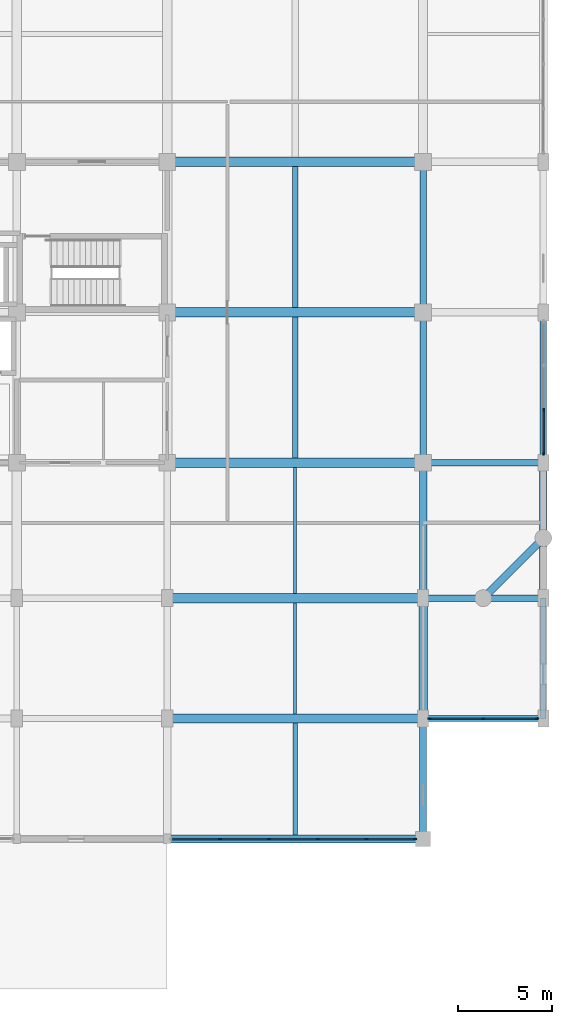
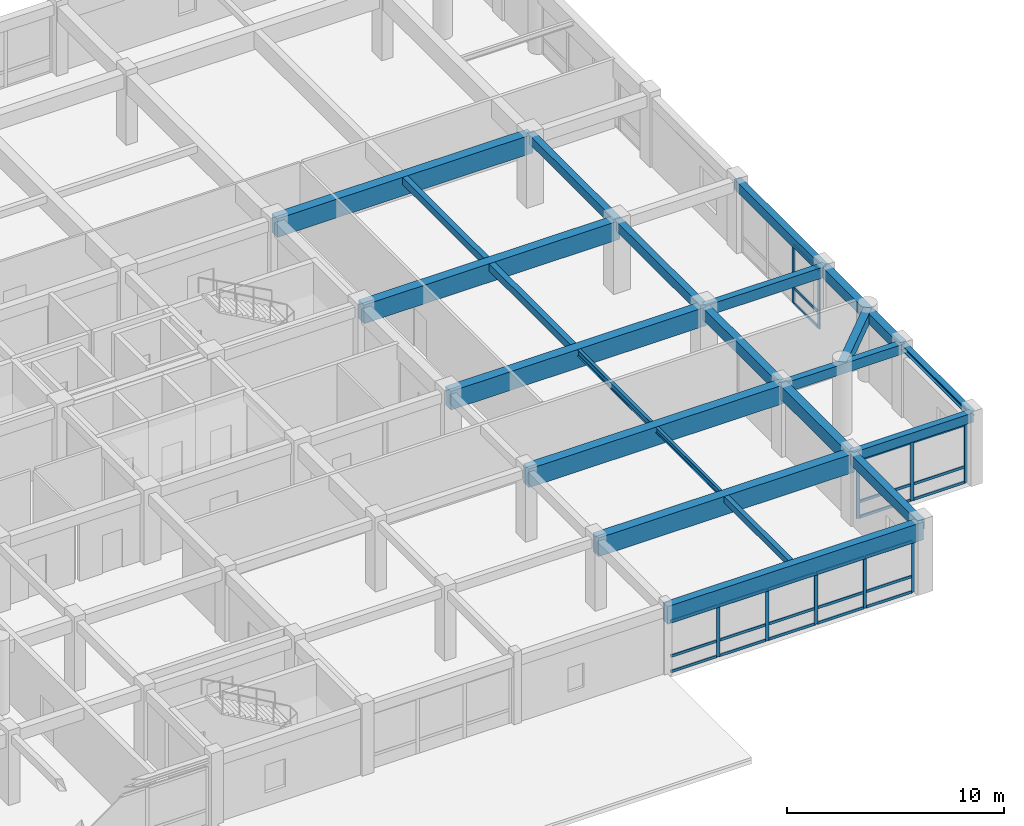
# One storey, part 16 of 35: 34 members, 23 beams, 3 elements without a shape of their own.
"""IFC4 building model written with IfcOpenShell, lengths in metres."""

from ifc_helpers import new_model, si_unit, direction, frame, origin, origin_2d, place, context, subcontext, project, spatial, rectangle, i_section, extrude, material, material_profile, profile_set, type_object, element, aggregate, save


model = new_model("IFC4")

# Units and contexts
model_context = context("Model", 3, precision=1e-05, world=origin(), true_north=direction((0.0, 1.0)))
body_context = subcontext(model_context, "Body", "Model", "MODEL_VIEW")
ifc_project = project(units=[si_unit("LENGTHUNIT", "METRE"), si_unit("AREAUNIT", "SQUARE_METRE"), si_unit("VOLUMEUNIT", "CUBIC_METRE"), si_unit("PLANEANGLEUNIT", "RADIAN"), si_unit("MASSUNIT", "GRAM", prefix="KILO")], contexts=[model_context])

# Site, building, storey
site_placement = place(None, origin())
site = spatial("IfcSite", under=ifc_project, at=site_placement, CompositionType="ELEMENT")
building_placement = place(site_placement, origin())
building = spatial("IfcBuilding", under=site, at=building_placement, Name="Vellmiral Cinema and Media Centre", CompositionType="ELEMENT")
storey_placement = place(building_placement, frame((0.0, 0.0, 15.60009765625)))
storey = spatial("IfcBuildingStorey", under=building, at=storey_placement, Name="L03", CompositionType="ELEMENT", Elevation=15.60009765625)

# Beams
ifc_material_1 = material(Name="Concrete C40/50", Category="concrete")
ifc_material_profile_1 = material_profile(ifc_material_1, rectangle(XDim=0.35009765625, YDim=0.5, at=origin_2d()), Name="RC 350x500")
ifc_profile_set_1 = profile_set([ifc_material_profile_1], Name="Concrete C40/50")
beam_type_1 = type_object("IfcBeamType", Name="BM-RC-350x500", PredefinedType="BEAM", material=ifc_profile_set_1)
beam_1_placement = place(storey_placement, frame((161.60009765625, 87.199951171875, 3.64501953125), z_axis=(0.0, 1.0, 0.0), x_axis=(-1.0, 0.0, 0.0)))
element("IfcBeam", 1, at=beam_1_placement, inside=storey, type_object=beam_type_1, Name="Grid Beam L03-Y143", PredefinedType="BEAM", context=body_context, shape_type="SweptSolid", body=[
    extrude(rectangle(XDim=0.35009765625, YDim=0.5, at=origin_2d()), origin(), (0.0, 0.0, 1.0), 8.0),
])
ifc_material_2 = material(Name="Concrete C40/50", Category="concrete")
ifc_material_profile_2 = material_profile(ifc_material_2, rectangle(XDim=0.35009765625, YDim=0.550048828125, at=origin_2d()), Name="RC 350x550")
ifc_profile_set_2 = profile_set([ifc_material_profile_2], Name="Concrete C40/50")
beam_type_2 = type_object("IfcBeamType", Name="BM-RC-350x550", PredefinedType="BEAM", material=ifc_profile_set_2)
beam_2_placement = place(storey_placement, frame((161.60009765625, 72.0, 3.619873046875), z_axis=(1.0, 0.0, 0.0), x_axis=(0.0, 1.0, 0.0)))
element("IfcBeam", 2, at=beam_2_placement, inside=storey, type_object=beam_type_2, Name="Grid Beam L03-X035", PredefinedType="BEAM", context=body_context, shape_type="SweptSolid", body=[
    extrude(rectangle(XDim=0.35009765625, YDim=0.550048828125, at=origin_2d()), origin(), (0.0, 0.0, 1.0), 6.39990234375),
])
beam_3_placement = place(storey_placement, frame((161.60009765625, 79.199951171875, 3.619873046875), z_axis=(0.0, 1.0, 0.0), x_axis=(-1.0, 0.0, 0.0)))
element("IfcBeam", 3, at=beam_3_placement, inside=storey, type_object=beam_type_2, Name="Grid Beam L03-Y142", PredefinedType="BEAM", context=body_context, shape_type="SweptSolid", body=[
    extrude(rectangle(XDim=0.35009765625, YDim=0.550048828125, at=origin_2d()), origin(), (0.0, 0.0, 1.0), 8.0),
])
ifc_material_3 = material(Name="Concrete C40/50", Category="concrete")
ifc_material_profile_3 = material_profile(ifc_material_3, rectangle(XDim=0.35009765625, YDim=0.60009765625, at=origin_2d()), Name="RC 350x600")
ifc_profile_set_3 = profile_set([ifc_material_profile_3], Name="Concrete C40/50")
beam_type_3 = type_object("IfcBeamType", Name="BM-RC-350x600", PredefinedType="BEAM", material=ifc_profile_set_3)
beam_4_placement = place(storey_placement, frame((161.60009765625, 79.199951171875, 3.594970703125), z_axis=(1.0, 0.0, 0.0), x_axis=(0.0, 1.0, 0.0)))
element("IfcBeam", 4, at=beam_4_placement, inside=storey, type_object=beam_type_3, Name="Grid Beam L03-X045", PredefinedType="BEAM", context=body_context, shape_type="SweptSolid", body=[
    extrude(rectangle(XDim=0.35009765625, YDim=0.60009765625, at=origin_2d()), origin(), (0.0, 0.0, 1.0), 6.39990234375),
])
ifc_material_4 = material(Name="Concrete C40/50", Category="concrete")
ifc_material_profile_4 = material_profile(ifc_material_4, rectangle(XDim=0.39990234375, YDim=0.64990234375, at=origin_2d()), Name="RC 400x650")
ifc_profile_set_4 = profile_set([ifc_material_profile_4], Name="Concrete C40/50")
beam_type_4 = type_object("IfcBeamType", Name="BM-RC-400x650", PredefinedType="BEAM", material=ifc_profile_set_4)
beam_5_placement = place(storey_placement, frame((161.60009765625, 72.0, 3.56982421875), z_axis=(0.0, 1.0, 0.0), x_axis=(-1.0, 0.0, 0.0)))
element("IfcBeam", 5, at=beam_5_placement, inside=storey, type_object=beam_type_4, Name="Grid Beam L03-Y141", PredefinedType="BEAM", context=body_context, shape_type="SweptSolid", body=[
    extrude(rectangle(XDim=0.39990234375, YDim=0.64990234375, at=origin_2d()), origin(), (0.0, 0.0, 1.0), 7.199951171875),
])
ifc_material_5 = material(Name="Concrete C40/50", Category="concrete")
ifc_material_profile_5 = material_profile(ifc_material_5, rectangle(XDim=0.449951171875, YDim=0.75, at=origin_2d()), Name="RC 450x750")
ifc_profile_set_5 = profile_set([ifc_material_profile_5], Name="Concrete C40/50")
beam_type_5 = type_object("IfcBeamType", Name="BM-RC-450x750", PredefinedType="BEAM", material=ifc_profile_set_5)
beam_6_placement = place(storey_placement, frame((161.60009765625, 65.60009765625, 3.52001953125), z_axis=(0.0, 1.0, 0.0), x_axis=(-1.0, 0.0, 0.0)))
element("IfcBeam", 6, at=beam_6_placement, inside=storey, type_object=beam_type_5, Name="Grid Beam L03-Y140", PredefinedType="BEAM", context=body_context, shape_type="SweptSolid", body=[
    extrude(rectangle(XDim=0.449951171875, YDim=0.75, at=origin_2d()), origin(), (0.0, 0.0, 1.0), 6.39990234375),
])
ifc_material_6 = material(Name="Concrete C40/50", Category="concrete")
ifc_material_profile_6 = material_profile(ifc_material_6, rectangle(XDim=0.5, YDim=1.050048828125, at=origin_2d()), Name="RC 500x1050")
ifc_profile_set_6 = profile_set([ifc_material_profile_6], Name="Concrete C40/50")
beam_type_6 = type_object("IfcBeamType", Name="BM-RCG-500x1050", PredefinedType="BEAM", material=ifc_profile_set_6)
for number, where, z_axis, x_axis, name in (
    (7, (148.0, 65.60009765625, 3.369873046875), (1.0, 0.0, 0.0), (0.0, 1.0, 0.0), "Grid Beam L03-X024"),
    (8, (148.0, 72.0, 3.369873046875), (1.0, 0.0, 0.0), (0.0, 1.0, 0.0), "Grid Beam L03-X034"),
    (9, (148.0, 79.199951171875, 3.369873046875), (1.0, 0.0, 0.0), (0.0, 1.0, 0.0), "Grid Beam L03-X044"),
    (10, (148.0, 87.199951171875, 3.369873046875), (1.0, 0.0, 0.0), (0.0, 1.0, 0.0), "Grid Beam L03-X054"),
    (11, (148.0, 95.199951171875, 3.369873046875), (1.0, 0.0, 0.0), (0.0, 1.0, 0.0), "Grid Beam L03-X064"),
):
    element("IfcBeam", number, at=place(storey_placement, frame(where, z_axis=z_axis, x_axis=x_axis)), inside=storey, type_object=beam_type_6, Name=name, PredefinedType="BEAM", context=body_context, shape_type="SweptSolid", body=[
        extrude(rectangle(XDim=0.5, YDim=1.050048828125, at=origin_2d()), origin(), (0.0, 0.0, 1.0), 13.60009765625),
    ])

# Curtain wall, members
ifc_material_7 = material(Name="Thermally Broken Aluminium and Triple Glazing", Category="aluminium")
curtain_wall_type_1 = type_object("IfcCurtainWallType", Name="CW-POD-GALLERY", PredefinedType="USERDEFINED", material=ifc_material_7)
curtain_wall_1_placement = place(storey_placement, origin())
curtain_wall_1 = element("IfcCurtainWall", 12, at=curtain_wall_1_placement, inside=storey, type_object=curtain_wall_type_1, Name="Curtain Wall L03-B016", ObjectType="STICK CURTAIN WALL", PredefinedType="USERDEFINED")
ifc_material_8 = material(Name="Thermally Broken Anodised Aluminium", Category="aluminium")
ifc_material_profile_7 = material_profile(ifc_material_8, rectangle(XDim=0.070068359375, YDim=0.179931640625, at=origin_2d()), Name="MULL 70x180")
ifc_profile_set_7 = profile_set([ifc_material_profile_7], Name="Thermally Broken Anodised Aluminium")
member_type_1 = type_object("IfcMemberType", Name="CWM-70x180", PredefinedType="MULLION", material=ifc_profile_set_7)
member_1_placement = place(storey_placement, frame((150.800048828125, 59.199951171875, 0.0), z_axis=(0.0, 0.0, 1.0), x_axis=(0.0, 1.0, 0.0)))
member_1 = element("IfcMember", 13, at=member_1_placement, type_object=member_type_1, Name="CW-04 mullion 2", PredefinedType="MULLION", context=body_context, shape_type="SweptSolid", body=[
    extrude(rectangle(XDim=0.070068359375, YDim=0.179931640625, at=origin_2d()), origin(), (0.0, 0.0, 1.0), 2.885009765625),
])
member_2_placement = place(storey_placement, frame((153.39990234375, 59.199951171875, 0.0), z_axis=(0.0, 0.0, 1.0), x_axis=(0.0, 1.0, 0.0)))
member_2 = element("IfcMember", 14, at=member_2_placement, type_object=member_type_1, Name="CW-04 mullion 3", PredefinedType="MULLION", context=body_context, shape_type="SweptSolid", body=[
    extrude(rectangle(XDim=0.070068359375, YDim=0.179931640625, at=origin_2d()), origin(), (0.0, 0.0, 1.0), 2.885009765625),
])
member_3_placement = place(storey_placement, frame((156.0, 59.199951171875, 0.0), z_axis=(0.0, 0.0, 1.0), x_axis=(0.0, 1.0, 0.0)))
member_3 = element("IfcMember", 15, at=member_3_placement, type_object=member_type_1, Name="CW-04 mullion 4", PredefinedType="MULLION", context=body_context, shape_type="SweptSolid", body=[
    extrude(rectangle(XDim=0.070068359375, YDim=0.179931640625, at=origin_2d()), origin(), (0.0, 0.0, 1.0), 2.885009765625),
])
member_4_placement = place(storey_placement, frame((158.60009765625, 59.199951171875, 0.0), z_axis=(0.0, 0.0, 1.0), x_axis=(0.0, 1.0, 0.0)))
member_4 = element("IfcMember", 16, at=member_4_placement, type_object=member_type_1, Name="CW-04 mullion 5", PredefinedType="MULLION", context=body_context, shape_type="SweptSolid", body=[
    extrude(rectangle(XDim=0.070068359375, YDim=0.179931640625, at=origin_2d()), origin(), (0.0, 0.0, 1.0), 2.885009765625),
])
member_5_placement = place(storey_placement, frame((161.1650390625, 59.199951171875, 0.0), z_axis=(0.0, 0.0, 1.0), x_axis=(0.0, 1.0, 0.0)))
member_5 = element("IfcMember", 17, at=member_5_placement, type_object=member_type_1, Name="CW-04 mullion 6", PredefinedType="MULLION", context=body_context, shape_type="SweptSolid", body=[
    extrude(rectangle(XDim=0.070068359375, YDim=0.179931640625, at=origin_2d()), origin(), (0.0, 0.0, 1.0), 2.885009765625),
])

ifc_material_9 = material(Name="Thermally Broken Aluminium and Triple Glazing", Category="aluminium")
curtain_wall_type_2 = type_object("IfcCurtainWallType", Name="CW-LIB-BAY", PredefinedType="USERDEFINED", material=ifc_material_9)
curtain_wall_2_placement = place(storey_placement, origin())
curtain_wall_2 = element("IfcCurtainWall", 18, at=curtain_wall_2_placement, inside=storey, type_object=curtain_wall_type_2, Name="Curtain Wall L03-B018", ObjectType="STICK CURTAIN WALL", PredefinedType="USERDEFINED")
member_6_placement = place(storey_placement, frame((161.93505859375, 65.60009765625, 0.0), z_axis=(0.0, 0.0, 1.0), x_axis=(0.0, 1.0, 0.0)))
member_6 = element("IfcMember", 19, at=member_6_placement, type_object=member_type_1, Name="CW-03 mullion 1", PredefinedType="MULLION", context=body_context, shape_type="SweptSolid", body=[
    extrude(rectangle(XDim=0.070068359375, YDim=0.179931640625, at=origin_2d()), origin(), (0.0, 0.0, 1.0), 3.2998046875),
])
member_7_placement = place(storey_placement, frame((164.800048828125, 65.60009765625, 0.0), z_axis=(0.0, 0.0, 1.0), x_axis=(0.0, 1.0, 0.0)))
member_7 = element("IfcMember", 20, at=member_7_placement, type_object=member_type_1, Name="CW-03 mullion 2", PredefinedType="MULLION", context=body_context, shape_type="SweptSolid", body=[
    extrude(rectangle(XDim=0.070068359375, YDim=0.179931640625, at=origin_2d()), origin(), (0.0, 0.0, 1.0), 3.2998046875),
])
member_8_placement = place(storey_placement, frame((167.6650390625, 65.60009765625, 0.0), z_axis=(0.0, 0.0, 1.0), x_axis=(0.0, 1.0, 0.0)))
member_8 = element("IfcMember", 21, at=member_8_placement, type_object=member_type_1, Name="CW-03 mullion 3", PredefinedType="MULLION", context=body_context, shape_type="SweptSolid", body=[
    extrude(rectangle(XDim=0.070068359375, YDim=0.179931640625, at=origin_2d()), origin(), (0.0, 0.0, 1.0), 3.2998046875),
])

curtain_wall_3_placement = place(storey_placement, origin())
curtain_wall_3 = element("IfcCurtainWall", 22, at=curtain_wall_3_placement, inside=storey, type_object=curtain_wall_type_2, Name="Curtain Wall L03-B022", ObjectType="STICK CURTAIN WALL", PredefinedType="USERDEFINED")
member_9_placement = place(storey_placement, frame((168.0, 79.68505859375, 0.0), z_axis=(0.0, 0.0, 1.0), x_axis=(-1.0, 0.0, 0.0)))
member_9 = element("IfcMember", 23, at=member_9_placement, type_object=member_type_1, Name="CW-03 mullion 1", PredefinedType="MULLION", context=body_context, shape_type="SweptSolid", body=[
    extrude(rectangle(XDim=0.070068359375, YDim=0.179931640625, at=origin_2d()), origin(), (0.0, 0.0, 1.0), 3.2998046875),
])
member_10_placement = place(storey_placement, frame((168.0, 82.0166015625, 0.0), z_axis=(0.0, 0.0, 1.0), x_axis=(-1.0, 0.0, 0.0)))
member_10 = element("IfcMember", 24, at=member_10_placement, type_object=member_type_1, Name="CW-03 mullion 2", PredefinedType="MULLION", context=body_context, shape_type="SweptSolid", body=[
    extrude(rectangle(XDim=0.070068359375, YDim=0.179931640625, at=origin_2d()), origin(), (0.0, 0.0, 1.0), 3.2998046875),
])

# Member
ifc_material_10 = material(Name="Thermally Broken Anodised Aluminium", Category="aluminium")
ifc_material_profile_8 = material_profile(ifc_material_10, rectangle(XDim=0.070068359375, YDim=0.14990234375, at=origin_2d()), Name="MULL 70x150")
ifc_profile_set_8 = profile_set([ifc_material_profile_8], Name="Thermally Broken Anodised Aluminium")
member_type_2 = type_object("IfcMemberType", Name="CWT-70x150", PredefinedType="USERDEFINED", material=ifc_profile_set_8)
member_11_placement = place(storey_placement, frame((148.27001953125, 59.199951171875, 0.034912109375), z_axis=(1.0, 0.0, 0.0), x_axis=(0.0, 1.0, 0.0)))
member_11 = element("IfcMember", 25, at=member_11_placement, type_object=member_type_2, Name="CW-04 transom 1.1", ObjectType="TRANSOM", PredefinedType="USERDEFINED", context=body_context, shape_type="SweptSolid", body=[
    extrude(rectangle(XDim=0.070068359375, YDim=0.14990234375, at=origin_2d()), origin(), (0.0, 0.0, 1.0), 2.494873046875),
])

member_12_placement = place(storey_placement, frame((148.27001953125, 59.199951171875, 0.89990234375), z_axis=(1.0, 0.0, 0.0), x_axis=(0.0, 1.0, 0.0)))
member_12 = element("IfcMember", 26, at=member_12_placement, type_object=member_type_2, Name="CW-04 transom 1.2", ObjectType="TRANSOM", PredefinedType="USERDEFINED", context=body_context, shape_type="SweptSolid", body=[
    extrude(rectangle(XDim=0.070068359375, YDim=0.14990234375, at=origin_2d()), origin(), (0.0, 0.0, 1.0), 2.494873046875),
])

member_13_placement = place(storey_placement, frame((148.27001953125, 59.199951171875, 2.849853515625), z_axis=(1.0, 0.0, 0.0), x_axis=(0.0, 1.0, 0.0)))
member_13 = element("IfcMember", 27, at=member_13_placement, type_object=member_type_2, Name="CW-04 transom 1.3", ObjectType="TRANSOM", PredefinedType="USERDEFINED", context=body_context, shape_type="SweptSolid", body=[
    extrude(rectangle(XDim=0.070068359375, YDim=0.14990234375, at=origin_2d()), origin(), (0.0, 0.0, 1.0), 2.494873046875),
])

member_14_placement = place(storey_placement, frame((150.8349609375, 59.199951171875, 0.034912109375), z_axis=(1.0, 0.0, 0.0), x_axis=(0.0, 1.0, 0.0)))
member_14 = element("IfcMember", 28, at=member_14_placement, type_object=member_type_2, Name="CW-04 transom 2.1", ObjectType="TRANSOM", PredefinedType="USERDEFINED", context=body_context, shape_type="SweptSolid", body=[
    extrude(rectangle(XDim=0.070068359375, YDim=0.14990234375, at=origin_2d()), origin(), (0.0, 0.0, 1.0), 2.530029296875),
])

member_15_placement = place(storey_placement, frame((150.8349609375, 59.199951171875, 0.89990234375), z_axis=(1.0, 0.0, 0.0), x_axis=(0.0, 1.0, 0.0)))
member_15 = element("IfcMember", 29, at=member_15_placement, type_object=member_type_2, Name="CW-04 transom 2.2", ObjectType="TRANSOM", PredefinedType="USERDEFINED", context=body_context, shape_type="SweptSolid", body=[
    extrude(rectangle(XDim=0.070068359375, YDim=0.14990234375, at=origin_2d()), origin(), (0.0, 0.0, 1.0), 2.530029296875),
])

member_16_placement = place(storey_placement, frame((150.8349609375, 59.199951171875, 2.849853515625), z_axis=(1.0, 0.0, 0.0), x_axis=(0.0, 1.0, 0.0)))
member_16 = element("IfcMember", 30, at=member_16_placement, type_object=member_type_2, Name="CW-04 transom 2.3", ObjectType="TRANSOM", PredefinedType="USERDEFINED", context=body_context, shape_type="SweptSolid", body=[
    extrude(rectangle(XDim=0.070068359375, YDim=0.14990234375, at=origin_2d()), origin(), (0.0, 0.0, 1.0), 2.530029296875),
])

member_17_placement = place(storey_placement, frame((153.43505859375, 59.199951171875, 0.034912109375), z_axis=(1.0, 0.0, 0.0), x_axis=(0.0, 1.0, 0.0)))
member_17 = element("IfcMember", 31, at=member_17_placement, type_object=member_type_2, Name="CW-04 transom 3.1", ObjectType="TRANSOM", PredefinedType="USERDEFINED", context=body_context, shape_type="SweptSolid", body=[
    extrude(rectangle(XDim=0.070068359375, YDim=0.14990234375, at=origin_2d()), origin(), (0.0, 0.0, 1.0), 2.530029296875),
])

member_18_placement = place(storey_placement, frame((153.43505859375, 59.199951171875, 0.89990234375), z_axis=(1.0, 0.0, 0.0), x_axis=(0.0, 1.0, 0.0)))
member_18 = element("IfcMember", 32, at=member_18_placement, type_object=member_type_2, Name="CW-04 transom 3.2", ObjectType="TRANSOM", PredefinedType="USERDEFINED", context=body_context, shape_type="SweptSolid", body=[
    extrude(rectangle(XDim=0.070068359375, YDim=0.14990234375, at=origin_2d()), origin(), (0.0, 0.0, 1.0), 2.530029296875),
])

member_19_placement = place(storey_placement, frame((153.43505859375, 59.199951171875, 2.849853515625), z_axis=(1.0, 0.0, 0.0), x_axis=(0.0, 1.0, 0.0)))
member_19 = element("IfcMember", 33, at=member_19_placement, type_object=member_type_2, Name="CW-04 transom 3.3", ObjectType="TRANSOM", PredefinedType="USERDEFINED", context=body_context, shape_type="SweptSolid", body=[
    extrude(rectangle(XDim=0.070068359375, YDim=0.14990234375, at=origin_2d()), origin(), (0.0, 0.0, 1.0), 2.530029296875),
])

member_20_placement = place(storey_placement, frame((156.034912109375, 59.199951171875, 0.034912109375), z_axis=(1.0, 0.0, 0.0), x_axis=(0.0, 1.0, 0.0)))
member_20 = element("IfcMember", 34, at=member_20_placement, type_object=member_type_2, Name="CW-04 transom 4.1", ObjectType="TRANSOM", PredefinedType="USERDEFINED", context=body_context, shape_type="SweptSolid", body=[
    extrude(rectangle(XDim=0.070068359375, YDim=0.14990234375, at=origin_2d()), origin(), (0.0, 0.0, 1.0), 2.530029296875),
])

member_21_placement = place(storey_placement, frame((156.034912109375, 59.199951171875, 0.89990234375), z_axis=(1.0, 0.0, 0.0), x_axis=(0.0, 1.0, 0.0)))
member_21 = element("IfcMember", 35, at=member_21_placement, type_object=member_type_2, Name="CW-04 transom 4.2", ObjectType="TRANSOM", PredefinedType="USERDEFINED", context=body_context, shape_type="SweptSolid", body=[
    extrude(rectangle(XDim=0.070068359375, YDim=0.14990234375, at=origin_2d()), origin(), (0.0, 0.0, 1.0), 2.530029296875),
])

member_22_placement = place(storey_placement, frame((156.034912109375, 59.199951171875, 2.849853515625), z_axis=(1.0, 0.0, 0.0), x_axis=(0.0, 1.0, 0.0)))
member_22 = element("IfcMember", 36, at=member_22_placement, type_object=member_type_2, Name="CW-04 transom 4.3", ObjectType="TRANSOM", PredefinedType="USERDEFINED", context=body_context, shape_type="SweptSolid", body=[
    extrude(rectangle(XDim=0.070068359375, YDim=0.14990234375, at=origin_2d()), origin(), (0.0, 0.0, 1.0), 2.530029296875),
])

member_23_placement = place(storey_placement, frame((158.635009765625, 59.199951171875, 0.034912109375), z_axis=(1.0, 0.0, 0.0), x_axis=(0.0, 1.0, 0.0)))
member_23 = element("IfcMember", 37, at=member_23_placement, type_object=member_type_2, Name="CW-04 transom 5.1", ObjectType="TRANSOM", PredefinedType="USERDEFINED", context=body_context, shape_type="SweptSolid", body=[
    extrude(rectangle(XDim=0.070068359375, YDim=0.14990234375, at=origin_2d()), origin(), (0.0, 0.0, 1.0), 2.494873046875),
])

member_24_placement = place(storey_placement, frame((158.635009765625, 59.199951171875, 0.89990234375), z_axis=(1.0, 0.0, 0.0), x_axis=(0.0, 1.0, 0.0)))
member_24 = element("IfcMember", 38, at=member_24_placement, type_object=member_type_2, Name="CW-04 transom 5.2", ObjectType="TRANSOM", PredefinedType="USERDEFINED", context=body_context, shape_type="SweptSolid", body=[
    extrude(rectangle(XDim=0.070068359375, YDim=0.14990234375, at=origin_2d()), origin(), (0.0, 0.0, 1.0), 2.494873046875),
])

member_25_placement = place(storey_placement, frame((158.635009765625, 59.199951171875, 2.849853515625), z_axis=(1.0, 0.0, 0.0), x_axis=(0.0, 1.0, 0.0)))
member_25 = element("IfcMember", 39, at=member_25_placement, type_object=member_type_2, Name="CW-04 transom 5.3", ObjectType="TRANSOM", PredefinedType="USERDEFINED", context=body_context, shape_type="SweptSolid", body=[
    extrude(rectangle(XDim=0.070068359375, YDim=0.14990234375, at=origin_2d()), origin(), (0.0, 0.0, 1.0), 2.494873046875),
])

aggregate(curtain_wall_1, [member_1, member_2, member_3, member_4, member_5, member_11, member_12, member_13, member_14, member_15, member_16, member_17, member_18, member_19, member_20, member_21, member_22, member_23, member_24, member_25])

member_26_placement = place(storey_placement, frame((161.969970703125, 65.60009765625, 0.034912109375), z_axis=(1.0, 0.0, 0.0), x_axis=(0.0, 1.0, 0.0)))
member_26 = element("IfcMember", 40, at=member_26_placement, type_object=member_type_2, Name="CW-03 transom 1.1", ObjectType="TRANSOM", PredefinedType="USERDEFINED", context=body_context, shape_type="SweptSolid", body=[
    extrude(rectangle(XDim=0.070068359375, YDim=0.14990234375, at=origin_2d()), origin(), (0.0, 0.0, 1.0), 2.794921875),
])

member_27_placement = place(storey_placement, frame((161.969970703125, 65.60009765625, 0.89990234375), z_axis=(1.0, 0.0, 0.0), x_axis=(0.0, 1.0, 0.0)))
member_27 = element("IfcMember", 41, at=member_27_placement, type_object=member_type_2, Name="CW-03 transom 1.2", ObjectType="TRANSOM", PredefinedType="USERDEFINED", context=body_context, shape_type="SweptSolid", body=[
    extrude(rectangle(XDim=0.070068359375, YDim=0.14990234375, at=origin_2d()), origin(), (0.0, 0.0, 1.0), 2.794921875),
])

member_28_placement = place(storey_placement, frame((161.969970703125, 65.60009765625, 3.264892578125), z_axis=(1.0, 0.0, 0.0), x_axis=(0.0, 1.0, 0.0)))
member_28 = element("IfcMember", 42, at=member_28_placement, type_object=member_type_2, Name="CW-03 transom 1.3", ObjectType="TRANSOM", PredefinedType="USERDEFINED", context=body_context, shape_type="SweptSolid", body=[
    extrude(rectangle(XDim=0.070068359375, YDim=0.14990234375, at=origin_2d()), origin(), (0.0, 0.0, 1.0), 2.794921875),
])

member_29_placement = place(storey_placement, frame((164.8349609375, 65.60009765625, 0.034912109375), z_axis=(1.0, 0.0, 0.0), x_axis=(0.0, 1.0, 0.0)))
member_29 = element("IfcMember", 43, at=member_29_placement, type_object=member_type_2, Name="CW-03 transom 2.1", ObjectType="TRANSOM", PredefinedType="USERDEFINED", context=body_context, shape_type="SweptSolid", body=[
    extrude(rectangle(XDim=0.070068359375, YDim=0.14990234375, at=origin_2d()), origin(), (0.0, 0.0, 1.0), 2.794921875),
])

member_30_placement = place(storey_placement, frame((164.8349609375, 65.60009765625, 0.89990234375), z_axis=(1.0, 0.0, 0.0), x_axis=(0.0, 1.0, 0.0)))
member_30 = element("IfcMember", 44, at=member_30_placement, type_object=member_type_2, Name="CW-03 transom 2.2", ObjectType="TRANSOM", PredefinedType="USERDEFINED", context=body_context, shape_type="SweptSolid", body=[
    extrude(rectangle(XDim=0.070068359375, YDim=0.14990234375, at=origin_2d()), origin(), (0.0, 0.0, 1.0), 2.794921875),
])

member_31_placement = place(storey_placement, frame((164.8349609375, 65.60009765625, 3.264892578125), z_axis=(1.0, 0.0, 0.0), x_axis=(0.0, 1.0, 0.0)))
member_31 = element("IfcMember", 45, at=member_31_placement, type_object=member_type_2, Name="CW-03 transom 2.3", ObjectType="TRANSOM", PredefinedType="USERDEFINED", context=body_context, shape_type="SweptSolid", body=[
    extrude(rectangle(XDim=0.070068359375, YDim=0.14990234375, at=origin_2d()), origin(), (0.0, 0.0, 1.0), 2.794921875),
])

aggregate(curtain_wall_2, [member_6, member_7, member_8, member_26, member_27, member_28, member_29, member_30, member_31])

member_32_placement = place(storey_placement, frame((168.0, 79.719970703125, 0.034912109375), z_axis=(0.0, 1.0, 0.0), x_axis=(-1.0, 0.0, 0.0)))
member_32 = element("IfcMember", 46, at=member_32_placement, type_object=member_type_2, Name="CW-03 transom 1.1", ObjectType="TRANSOM", PredefinedType="USERDEFINED", context=body_context, shape_type="SweptSolid", body=[
    extrude(rectangle(XDim=0.070068359375, YDim=0.14990234375, at=origin_2d()), origin(), (0.0, 0.0, 1.0), 2.26171875),
])

member_33_placement = place(storey_placement, frame((168.0, 79.719970703125, 0.89990234375), z_axis=(0.0, 1.0, 0.0), x_axis=(-1.0, 0.0, 0.0)))
member_33 = element("IfcMember", 47, at=member_33_placement, type_object=member_type_2, Name="CW-03 transom 1.2", ObjectType="TRANSOM", PredefinedType="USERDEFINED", context=body_context, shape_type="SweptSolid", body=[
    extrude(rectangle(XDim=0.070068359375, YDim=0.14990234375, at=origin_2d()), origin(), (0.0, 0.0, 1.0), 2.26171875),
])

member_34_placement = place(storey_placement, frame((168.0, 79.719970703125, 3.264892578125), z_axis=(0.0, 1.0, 0.0), x_axis=(-1.0, 0.0, 0.0)))
member_34 = element("IfcMember", 48, at=member_34_placement, type_object=member_type_2, Name="CW-03 transom 1.3", ObjectType="TRANSOM", PredefinedType="USERDEFINED", context=body_context, shape_type="SweptSolid", body=[
    extrude(rectangle(XDim=0.070068359375, YDim=0.14990234375, at=origin_2d()), origin(), (0.0, 0.0, 1.0), 2.26171875),
])

aggregate(curtain_wall_3, [member_9, member_10, member_32, member_33, member_34])

# Beams
ifc_material_11 = material(Name="Concrete C40/50", Category="concrete")
ifc_material_profile_9 = material_profile(ifc_material_11, rectangle(XDim=0.25, YDim=0.35009765625, at=origin_2d()), Name="RC 250x350")
ifc_profile_set_9 = profile_set([ifc_material_profile_9], Name="Concrete C40/50")
beam_type_7 = type_object("IfcBeamType", Name="JST-RC-250x350", PredefinedType="JOIST", material=ifc_profile_set_9)
beam_7_placement = place(storey_placement, frame((154.800048828125, 59.409912109375, 3.719970703125), z_axis=(0.0, 1.0, 0.0), x_axis=(-1.0, 0.0, 0.0)))
element("IfcBeam", 49, at=beam_7_placement, inside=storey, type_object=beam_type_7, Name="Secondary Floor Joist L03-012", PredefinedType="JOIST", context=body_context, shape_type="SweptSolid", body=[
    extrude(rectangle(XDim=0.25, YDim=0.35009765625, at=origin_2d()), origin(), (0.0, 0.0, 1.0), 5.940185546875),
])
ifc_material_12 = material(Name="Concrete C40/50", Category="concrete")
ifc_material_profile_10 = material_profile(ifc_material_12, rectangle(XDim=0.280029296875, YDim=0.39990234375, at=origin_2d()), Name="RC 280x400")
ifc_profile_set_10 = profile_set([ifc_material_profile_10], Name="Concrete C40/50")
beam_type_8 = type_object("IfcBeamType", Name="JST-RC-280x400", PredefinedType="JOIST", material=ifc_profile_set_10)
beam_8_placement = place(storey_placement, frame((154.800048828125, 87.449951171875, 3.69482421875), z_axis=(0.0, 1.0, 0.0), x_axis=(-1.0, 0.0, 0.0)))
element("IfcBeam", 50, at=beam_8_placement, inside=storey, type_object=beam_type_8, Name="Secondary Floor Joist L03-016", PredefinedType="JOIST", context=body_context, shape_type="SweptSolid", body=[
    extrude(rectangle(XDim=0.280029296875, YDim=0.39990234375, at=origin_2d()), origin(), (0.0, 0.0, 1.0), 7.5),
])
ifc_material_13 = material(Name="Concrete C40/50", Category="concrete")
ifc_material_profile_11 = material_profile(ifc_material_13, rectangle(XDim=0.300048828125, YDim=0.419921875, at=origin_2d()), Name="RC 300x420")
ifc_profile_set_11 = profile_set([ifc_material_profile_11], Name="Concrete C40/50")
beam_type_9 = type_object("IfcBeamType", Name="JST-RC-300x420", PredefinedType="JOIST", material=ifc_profile_set_11)
beam_9_placement = place(storey_placement, frame((154.800048828125, 79.449951171875, 3.684814453125), z_axis=(0.0, 1.0, 0.0), x_axis=(-1.0, 0.0, 0.0)))
element("IfcBeam", 51, at=beam_9_placement, inside=storey, type_object=beam_type_9, Name="Secondary Floor Joist L03-015", PredefinedType="JOIST", context=body_context, shape_type="SweptSolid", body=[
    extrude(rectangle(XDim=0.300048828125, YDim=0.419921875, at=origin_2d()), origin(), (0.0, 0.0, 1.0), 7.5),
])
ifc_material_14 = material(Name="Steel S355", Category="steel")
ifc_material_profile_12 = material_profile(ifc_material_14, i_section(OverallWidth=0.300048828125, OverallDepth=0.300048828125, WebThickness=0.010986328125, FlangeThickness=0.01904296875, FilletRadius=0.027099609375, at=origin_2d()), Name="HEB 300")
ifc_profile_set_12 = profile_set([ifc_material_profile_12], Name="Steel S355")
beam_type_10 = type_object("IfcBeamType", Name="SBM-HEB300", PredefinedType="SPANDREL", material=ifc_profile_set_12)
beam_10_placement = place(storey_placement, frame((168.0, 65.60009765625, 3.744873046875), z_axis=(0.0, 1.0, 0.0), x_axis=(-1.0, 0.0, 0.0)))
element("IfcBeam", 52, at=beam_10_placement, inside=storey, type_object=beam_type_10, Name="Grid Beam L03-Y146", PredefinedType="SPANDREL", context=body_context, shape_type="SweptSolid", body=[
    extrude(i_section(OverallWidth=0.300048828125, OverallDepth=0.300048828125, WebThickness=0.010986328125, FlangeThickness=0.01904296875, FilletRadius=0.027099609375, at=origin_2d()), origin(), (0.0, 0.0, 1.0), 6.39990234375),
])
ifc_material_15 = material(Name="Steel S355", Category="steel")
ifc_material_profile_13 = material_profile(ifc_material_15, i_section(OverallWidth=0.14990234375, OverallDepth=0.300048828125, WebThickness=0.007080078125, FlangeThickness=0.0107421875, FilletRadius=0.014892578125, at=origin_2d()), Name="IPE 300")
ifc_profile_set_13 = profile_set([ifc_material_profile_13], Name="Steel S355")
beam_type_11 = type_object("IfcBeamType", Name="SBM-IPE300", PredefinedType="JOIST", material=ifc_profile_set_13)
beam_11_placement = place(storey_placement, frame((154.800048828125, 65.85009765625, 3.744873046875), z_axis=(0.0, 1.0, 0.0), x_axis=(-1.0, 0.0, 0.0)))
element("IfcBeam", 53, at=beam_11_placement, inside=storey, type_object=beam_type_11, Name="Secondary Floor Joist L03-013", PredefinedType="JOIST", context=body_context, shape_type="SweptSolid", body=[
    extrude(i_section(OverallWidth=0.14990234375, OverallDepth=0.300048828125, WebThickness=0.007080078125, FlangeThickness=0.0107421875, FilletRadius=0.014892578125, at=origin_2d()), origin(), (0.0, 0.0, 1.0), 5.89990234375),
])
ifc_material_16 = material(Name="Steel S355", Category="steel")
ifc_material_profile_14 = material_profile(ifc_material_16, i_section(OverallWidth=0.169921875, OverallDepth=0.360107421875, WebThickness=0.008056640625, FlangeThickness=0.0126953125, FilletRadius=0.01806640625, at=origin_2d()), Name="IPE 360")
ifc_profile_set_14 = profile_set([ifc_material_profile_14], Name="Steel S355")
beam_type_12 = type_object("IfcBeamType", Name="SBM-IPE360", PredefinedType="JOIST", material=ifc_profile_set_14)
beam_12_placement = place(storey_placement, frame((154.800048828125, 72.25, 3.71484375), z_axis=(0.0, 1.0, 0.0), x_axis=(-1.0, 0.0, 0.0)))
element("IfcBeam", 54, at=beam_12_placement, inside=storey, type_object=beam_type_12, Name="Secondary Floor Joist L03-014", PredefinedType="JOIST", context=body_context, shape_type="SweptSolid", body=[
    extrude(i_section(OverallWidth=0.169921875, OverallDepth=0.360107421875, WebThickness=0.008056640625, FlangeThickness=0.0126953125, FilletRadius=0.01806640625, at=origin_2d()), origin(), (0.0, 0.0, 1.0), 6.699951171875),
])
ifc_material_17 = material(Name="Concrete C40/50", Category="concrete")
ifc_material_profile_15 = material_profile(ifc_material_17, rectangle(XDim=0.35009765625, YDim=0.56005859375, at=origin_2d()), Name="RC 350x560")
ifc_profile_set_15 = profile_set([ifc_material_profile_15], Name="Concrete C40/50")
beam_type_13 = type_object("IfcBeamType", Name="SPD-RC-350x560", PredefinedType="SPANDREL", material=ifc_profile_set_15)
beam_13_placement = place(storey_placement, frame((168.0, 79.199951171875, 3.614990234375), z_axis=(0.0, 1.0, 0.0), x_axis=(-1.0, 0.0, 0.0)))
element("IfcBeam", 55, at=beam_13_placement, inside=storey, type_object=beam_type_13, Name="Grid Beam L03-Y148", PredefinedType="SPANDREL", context=body_context, shape_type="SweptSolid", body=[
    extrude(rectangle(XDim=0.35009765625, YDim=0.56005859375, at=origin_2d()), origin(), (0.0, 0.0, 1.0), 8.0),
])
ifc_material_18 = material(Name="Concrete C40/50", Category="concrete")
ifc_material_profile_16 = material_profile(ifc_material_18, rectangle(XDim=0.39990234375, YDim=0.60009765625, at=origin_2d()), Name="RC 400x600")
ifc_profile_set_16 = profile_set([ifc_material_profile_16], Name="Concrete C40/50")
beam_type_14 = type_object("IfcBeamType", Name="SPD-RC-400x600", PredefinedType="SPANDREL", material=ifc_profile_set_16)
beam_14_placement = place(storey_placement, frame((168.0, 72.0, 3.594970703125), z_axis=(0.0, 1.0, 0.0), x_axis=(-1.0, 0.0, 0.0)))
element("IfcBeam", 56, at=beam_14_placement, inside=storey, type_object=beam_type_14, Name="Grid Beam L03-Y147", PredefinedType="SPANDREL", context=body_context, shape_type="SweptSolid", body=[
    extrude(rectangle(XDim=0.39990234375, YDim=0.60009765625, at=origin_2d()), origin(), (0.0, 0.0, 1.0), 7.199951171875),
])
beam_15_placement = place(storey_placement, frame((164.800048828125, 72.0, 3.594970703125), z_axis=(0.707106781187, 0.707106781187, 0.0), x_axis=(-0.707106781187, 0.707106781187, 0.0)))
element("IfcBeam", 57, at=beam_15_placement, inside=storey, type_object=beam_type_14, Name="Xamfra Chamfer Spandrel Beam L03-153", PredefinedType="SPANDREL", context=body_context, shape_type="SweptSolid", body=[
    extrude(rectangle(XDim=0.39990234375, YDim=0.60009765625, at=origin_2d()), origin(), (0.0, 0.0, 1.0), 4.525390625),
])
ifc_material_19 = material(Name="Vosges Red Sandstone Masonry", Category="masonry")
ifc_material_profile_17 = material_profile(ifc_material_19, rectangle(XDim=0.340087890625, YDim=0.52001953125, at=origin_2d()), Name="SAND 340x520")
ifc_profile_set_17 = profile_set([ifc_material_profile_17], Name="Vosges Red Sandstone Masonry")
beam_type_15 = type_object("IfcBeamType", Name="SPD-SAND-340x520", PredefinedType="SPANDREL", material=ifc_profile_set_17)
beam_16_placement = place(storey_placement, frame((161.60009765625, 65.60009765625, 3.635009765625), z_axis=(1.0, 0.0, 0.0), x_axis=(0.0, 1.0, 0.0)))
element("IfcBeam", 58, at=beam_16_placement, inside=storey, type_object=beam_type_15, Name="Grid Beam L03-X025", PredefinedType="SPANDREL", context=body_context, shape_type="SweptSolid", body=[
    extrude(rectangle(XDim=0.340087890625, YDim=0.52001953125, at=origin_2d()), origin(), (0.0, 0.0, 1.0), 6.39990234375),
])
ifc_material_20 = material(Name="Vosges Red Sandstone Masonry", Category="masonry")
ifc_material_profile_18 = material_profile(ifc_material_20, rectangle(XDim=0.3798828125, YDim=0.580078125, at=origin_2d()), Name="SAND 380x580")
ifc_profile_set_18 = profile_set([ifc_material_profile_18], Name="Vosges Red Sandstone Masonry")
beam_type_16 = type_object("IfcBeamType", Name="SPD-SAND-380x580", PredefinedType="SPANDREL", material=ifc_profile_set_18)
beam_17_placement = place(storey_placement, frame((161.60009765625, 59.199951171875, 3.60498046875), z_axis=(0.0, 1.0, 0.0), x_axis=(-1.0, 0.0, 0.0)))
element("IfcBeam", 59, at=beam_17_placement, inside=storey, type_object=beam_type_16, Name="Grid Beam L03-Y139", PredefinedType="SPANDREL", context=body_context, shape_type="SweptSolid", body=[
    extrude(rectangle(XDim=0.3798828125, YDim=0.580078125, at=origin_2d()), origin(), (0.0, 0.0, 1.0), 6.400146484375),
])
ifc_material_21 = material(Name="Vosges Red Sandstone Masonry", Category="masonry")
ifc_material_profile_19 = material_profile(ifc_material_21, rectangle(XDim=0.419921875, YDim=1.0, at=origin_2d()), Name="SAND 420x1000")
ifc_profile_set_19 = profile_set([ifc_material_profile_19], Name="Vosges Red Sandstone Masonry")
beam_type_17 = type_object("IfcBeamType", Name="SPD-SANDG-420x1000", PredefinedType="SPANDREL", material=ifc_profile_set_19)
beam_18_placement = place(storey_placement, frame((148.0, 59.199951171875, 3.39501953125), z_axis=(1.0, 0.0, 0.0), x_axis=(0.0, 1.0, 0.0)))
element("IfcBeam", 60, at=beam_18_placement, inside=storey, type_object=beam_type_17, Name="Grid Beam L03-X015", PredefinedType="SPANDREL", context=body_context, shape_type="SweptSolid", body=[
    extrude(rectangle(XDim=0.419921875, YDim=1.0, at=origin_2d()), origin(), (0.0, 0.0, 1.0), 13.60009765625),
])

save(model, "model.ifc")
